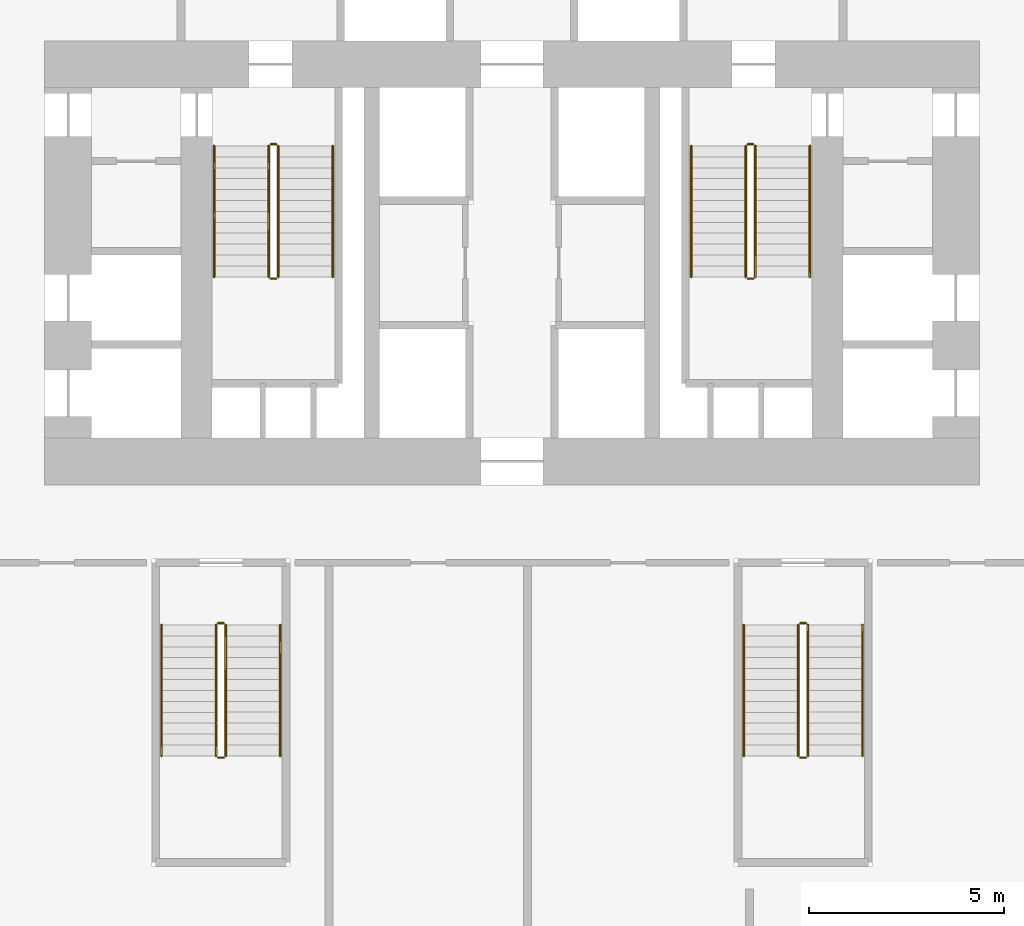
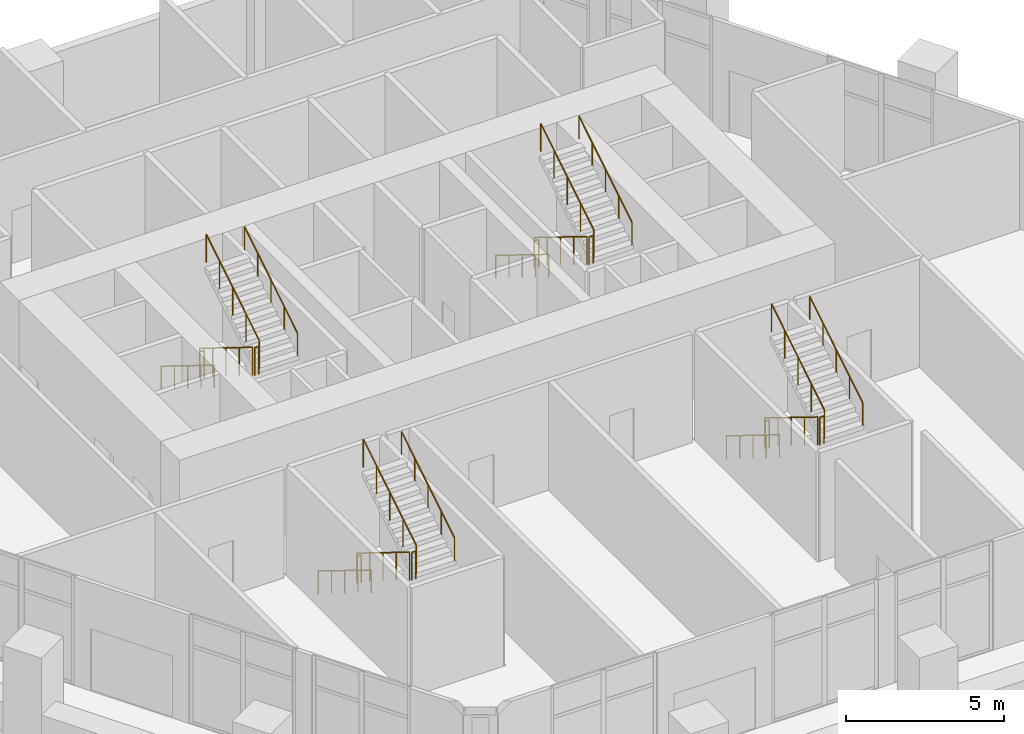
# One storey, part 18 of 18: 24 railings.
"""IFC4 building model written with IfcOpenShell, lengths in metres."""

from ifc_helpers import new_model, si_unit, direction, frame, origin, origin_2d, place, context, subcontext, project, spatial, circle, extrude, material, type_object, element, save


model = new_model("IFC4")

# Units and contexts
model_context = context("Model", 3, precision=1e-05, world=origin(), true_north=direction((0.0, 1.0)))
body_context = subcontext(model_context, "Body", "Model", "MODEL_VIEW")
ifc_project = project(units=[si_unit("LENGTHUNIT", "METRE"), si_unit("AREAUNIT", "SQUARE_METRE"), si_unit("VOLUMEUNIT", "CUBIC_METRE"), si_unit("PLANEANGLEUNIT", "RADIAN"), si_unit("MASSUNIT", "GRAM", prefix="KILO")], contexts=[model_context])

# Site, building, storey
site_placement = place(None, origin())
site = spatial("IfcSite", under=ifc_project, at=site_placement, CompositionType="ELEMENT")
building_placement = place(site_placement, origin())
building = spatial("IfcBuilding", under=site, at=building_placement, Name="Ostrander Bayou Hotel Tower", CompositionType="ELEMENT")
storey_placement = place(building_placement, frame((0.0, 0.0, 14.5)))
storey = spatial("IfcBuildingStorey", under=building, at=storey_placement, Name="L03", CompositionType="ELEMENT", Elevation=14.5)

# Railings
ifc_material_1 = material(Name="Steel ASTM A500 Gr C", Category="steel")
railing_type_1 = type_object("IfcRailingType", Name="GR1 stair guard 1100 mm steel", PredefinedType="GUARDRAIL", material=ifc_material_1)
railing_1_placement = place(storey_placement, frame((-6.25, 7.0, 0.173095703125)))
element("IfcRailing", 1, at=railing_1_placement, inside=storey, type_object=railing_type_1, Name="L03 STA stair guard 1", PredefinedType="GUARDRAIL", context=body_context, shape_type="SweptSolid", body=[
    extrude(circle(Radius=0.02392578125, at=origin_2d()), frame((0.0, 0.0, 1.076171875), z_axis=(0.0, -0.850623216509, 0.525775754039), x_axis=(1.0, 0.0, 0.0)), (0.0, 0.0, 1.0), 3.9501953125),
    extrude(circle(Radius=0.02099609375, at=origin_2d()), origin(), (0.0, 0.0, 1.0), 1.052001953125),
    extrude(circle(Radius=0.02099609375, at=origin_2d()), frame((0.0, -0.840087890625, 0.519287109375)), (0.0, 0.0, 1.0), 1.052001953125),
    extrude(circle(Radius=0.02099609375, at=origin_2d()), frame((0.0, -1.68017578125, 1.03857421875)), (0.0, 0.0, 1.0), 1.052001953125),
    extrude(circle(Radius=0.02099609375, at=origin_2d()), frame((0.0, -2.52001953125, 1.5576171875)), (0.0, 0.0, 1.0), 1.052001953125),
    extrude(circle(Radius=0.02099609375, at=origin_2d()), frame((0.0, -3.360107421875, 2.076904296875)), (0.0, 0.0, 1.0), 1.052001953125),
])
railing_2_placement = place(storey_placement, frame((-6.199951171875, 3.590087890625, 2.25)))
element("IfcRailing", 2, at=railing_2_placement, inside=storey, type_object=railing_type_1, Name="L03 STA stair guard 2", PredefinedType="GUARDRAIL", context=body_context, shape_type="SweptSolid", body=[
    extrude(circle(Radius=0.02392578125, at=origin_2d()), frame((0.0, 0.0, 1.076171875), z_axis=(1.0, 0.0, 0.0), x_axis=(0.0, 1.0, 0.0)), (0.0, 0.0, 1.0), 0.14990234375),
    extrude(circle(Radius=0.02099609375, at=origin_2d()), origin(), (0.0, 0.0, 1.0), 1.052001953125),
    extrude(circle(Radius=0.02099609375, at=origin_2d()), frame((0.14990234375, 0.0, 0.0)), (0.0, 0.0, 1.0), 1.052001953125),
])
railing_3_placement = place(storey_placement, frame((-6.0, 3.639892578125, 2.423095703125)))
element("IfcRailing", 3, at=railing_3_placement, inside=storey, type_object=railing_type_1, Name="L03 STA stair guard 3", PredefinedType="GUARDRAIL", context=body_context, shape_type="SweptSolid", body=[
    extrude(circle(Radius=0.02392578125, at=origin_2d()), frame((0.0, 0.0, 1.076171875), z_axis=(0.0, 0.850623216509, 0.525775754039), x_axis=(-1.0, 0.0, 0.0)), (0.0, 0.0, 1.0), 3.9501953125),
    extrude(circle(Radius=0.02099609375, at=origin_2d()), origin(), (0.0, 0.0, 1.0), 1.052001953125),
    extrude(circle(Radius=0.02099609375, at=origin_2d()), frame((0.0, 0.840087890625, 0.519287109375)), (0.0, 0.0, 1.0), 1.052001953125),
    extrude(circle(Radius=0.02099609375, at=origin_2d()), frame((0.0, 1.68017578125, 1.03857421875)), (0.0, 0.0, 1.0), 1.052001953125),
    extrude(circle(Radius=0.02099609375, at=origin_2d()), frame((0.0, 2.52001953125, 1.5576171875)), (0.0, 0.0, 1.0), 1.052001953125),
    extrude(circle(Radius=0.02099609375, at=origin_2d()), frame((0.0, 3.360107421875, 2.076904296875)), (0.0, 0.0, 1.0), 1.052001953125),
])
railing_4_placement = place(storey_placement, frame((-6.199951171875, 7.050048828125, 0.0)))
element("IfcRailing", 4, at=railing_4_placement, inside=storey, type_object=railing_type_1, Name="L03 STA stair guard 4", PredefinedType="GUARDRAIL", context=body_context, shape_type="SweptSolid", body=[
    extrude(circle(Radius=0.02392578125, at=origin_2d()), frame((0.0, 0.0, 1.076171875), z_axis=(1.0, 0.0, 0.0), x_axis=(0.0, 1.0, 0.0)), (0.0, 0.0, 1.0), 0.14990234375),
    extrude(circle(Radius=0.02099609375, at=origin_2d()), origin(), (0.0, 0.0, 1.0), 1.052001953125),
    extrude(circle(Radius=0.02099609375, at=origin_2d()), frame((0.14990234375, 0.0, 0.0)), (0.0, 0.0, 1.0), 1.052001953125),
])
railing_5_placement = place(storey_placement, frame((6.0, 7.0, 0.173095703125)))
element("IfcRailing", 5, at=railing_5_placement, inside=storey, type_object=railing_type_1, Name="L03 STB stair guard 1", PredefinedType="GUARDRAIL", context=body_context, shape_type="SweptSolid", body=[
    extrude(circle(Radius=0.02392578125, at=origin_2d()), frame((0.0, 0.0, 1.076171875), z_axis=(0.0, -0.850623216509, 0.525775754039), x_axis=(1.0, 0.0, 0.0)), (0.0, 0.0, 1.0), 3.9501953125),
    extrude(circle(Radius=0.02099609375, at=origin_2d()), origin(), (0.0, 0.0, 1.0), 1.052001953125),
    extrude(circle(Radius=0.02099609375, at=origin_2d()), frame((0.0, -0.840087890625, 0.519287109375)), (0.0, 0.0, 1.0), 1.052001953125),
    extrude(circle(Radius=0.02099609375, at=origin_2d()), frame((0.0, -1.68017578125, 1.03857421875)), (0.0, 0.0, 1.0), 1.052001953125),
    extrude(circle(Radius=0.02099609375, at=origin_2d()), frame((0.0, -2.52001953125, 1.5576171875)), (0.0, 0.0, 1.0), 1.052001953125),
    extrude(circle(Radius=0.02099609375, at=origin_2d()), frame((0.0, -3.360107421875, 2.076904296875)), (0.0, 0.0, 1.0), 1.052001953125),
])
railing_6_placement = place(storey_placement, frame((6.050048828125, 3.590087890625, 2.25)))
element("IfcRailing", 6, at=railing_6_placement, inside=storey, type_object=railing_type_1, Name="L03 STB stair guard 2", PredefinedType="GUARDRAIL", context=body_context, shape_type="SweptSolid", body=[
    extrude(circle(Radius=0.02392578125, at=origin_2d()), frame((0.0, 0.0, 1.076171875), z_axis=(1.0, 0.0, 0.0), x_axis=(0.0, 1.0, 0.0)), (0.0, 0.0, 1.0), 0.14990234375),
    extrude(circle(Radius=0.02099609375, at=origin_2d()), origin(), (0.0, 0.0, 1.0), 1.052001953125),
    extrude(circle(Radius=0.02099609375, at=origin_2d()), frame((0.14990234375, 0.0, 0.0)), (0.0, 0.0, 1.0), 1.052001953125),
])
railing_7_placement = place(storey_placement, frame((6.25, 3.639892578125, 2.423095703125)))
element("IfcRailing", 7, at=railing_7_placement, inside=storey, type_object=railing_type_1, Name="L03 STB stair guard 3", PredefinedType="GUARDRAIL", context=body_context, shape_type="SweptSolid", body=[
    extrude(circle(Radius=0.02392578125, at=origin_2d()), frame((0.0, 0.0, 1.076171875), z_axis=(0.0, 0.850623216509, 0.525775754039), x_axis=(-1.0, 0.0, 0.0)), (0.0, 0.0, 1.0), 3.9501953125),
    extrude(circle(Radius=0.02099609375, at=origin_2d()), origin(), (0.0, 0.0, 1.0), 1.052001953125),
    extrude(circle(Radius=0.02099609375, at=origin_2d()), frame((0.0, 0.840087890625, 0.519287109375)), (0.0, 0.0, 1.0), 1.052001953125),
    extrude(circle(Radius=0.02099609375, at=origin_2d()), frame((0.0, 1.68017578125, 1.03857421875)), (0.0, 0.0, 1.0), 1.052001953125),
    extrude(circle(Radius=0.02099609375, at=origin_2d()), frame((0.0, 2.52001953125, 1.5576171875)), (0.0, 0.0, 1.0), 1.052001953125),
    extrude(circle(Radius=0.02099609375, at=origin_2d()), frame((0.0, 3.360107421875, 2.076904296875)), (0.0, 0.0, 1.0), 1.052001953125),
])
railing_8_placement = place(storey_placement, frame((6.050048828125, 7.050048828125, 0.0)))
element("IfcRailing", 8, at=railing_8_placement, inside=storey, type_object=railing_type_1, Name="L03 STB stair guard 4", PredefinedType="GUARDRAIL", context=body_context, shape_type="SweptSolid", body=[
    extrude(circle(Radius=0.02392578125, at=origin_2d()), frame((0.0, 0.0, 1.076171875), z_axis=(1.0, 0.0, 0.0), x_axis=(0.0, 1.0, 0.0)), (0.0, 0.0, 1.0), 0.14990234375),
    extrude(circle(Radius=0.02099609375, at=origin_2d()), origin(), (0.0, 0.0, 1.0), 1.052001953125),
    extrude(circle(Radius=0.02099609375, at=origin_2d()), frame((0.14990234375, 0.0, 0.0)), (0.0, 0.0, 1.0), 1.052001953125),
])
railing_9_placement = place(storey_placement, frame((7.35009765625, -5.300048828125, 0.173095703125)))
element("IfcRailing", 9, at=railing_9_placement, inside=storey, type_object=railing_type_1, Name="L03 STC stair guard 1", PredefinedType="GUARDRAIL", context=body_context, shape_type="SweptSolid", body=[
    extrude(circle(Radius=0.02392578125, at=origin_2d()), frame((0.0, 0.0, 1.076171875), z_axis=(0.0, -0.850606129759, 0.525803396734), x_axis=(1.0, 0.0, 0.0)), (0.0, 0.0, 1.0), 3.949951171875),
    extrude(circle(Radius=0.02099609375, at=origin_2d()), origin(), (0.0, 0.0, 1.0), 1.052001953125),
    extrude(circle(Radius=0.02099609375, at=origin_2d()), frame((0.0, -0.83984375, 0.519287109375)), (0.0, 0.0, 1.0), 1.052001953125),
    extrude(circle(Radius=0.02099609375, at=origin_2d()), frame((0.0, -1.679931640625, 1.03857421875)), (0.0, 0.0, 1.0), 1.052001953125),
    extrude(circle(Radius=0.02099609375, at=origin_2d()), frame((0.0, -2.52001953125, 1.5576171875)), (0.0, 0.0, 1.0), 1.052001953125),
    extrude(circle(Radius=0.02099609375, at=origin_2d()), frame((0.0, -3.35986328125, 2.076904296875)), (0.0, 0.0, 1.0), 1.052001953125),
])
railing_10_placement = place(storey_placement, frame((7.39990234375, -8.7099609375, 2.25)))
element("IfcRailing", 10, at=railing_10_placement, inside=storey, type_object=railing_type_1, Name="L03 STC stair guard 2", PredefinedType="GUARDRAIL", context=body_context, shape_type="SweptSolid", body=[
    extrude(circle(Radius=0.02392578125, at=origin_2d()), frame((0.0, 0.0, 1.076171875), z_axis=(1.0, 0.0, 0.0), x_axis=(0.0, 1.0, 0.0)), (0.0, 0.0, 1.0), 0.150146484375),
    extrude(circle(Radius=0.02099609375, at=origin_2d()), origin(), (0.0, 0.0, 1.0), 1.052001953125),
    extrude(circle(Radius=0.02099609375, at=origin_2d()), frame((0.150146484375, 0.0, 0.0)), (0.0, 0.0, 1.0), 1.052001953125),
])
railing_11_placement = place(storey_placement, frame((7.60009765625, -8.659912109375, 2.423095703125)))
element("IfcRailing", 11, at=railing_11_placement, inside=storey, type_object=railing_type_1, Name="L03 STC stair guard 3", PredefinedType="GUARDRAIL", context=body_context, shape_type="SweptSolid", body=[
    extrude(circle(Radius=0.02392578125, at=origin_2d()), frame((0.0, 0.0, 1.076171875), z_axis=(0.0, 0.850606129759, 0.525803396734), x_axis=(-1.0, 0.0, 0.0)), (0.0, 0.0, 1.0), 3.949951171875),
    extrude(circle(Radius=0.02099609375, at=origin_2d()), origin(), (0.0, 0.0, 1.0), 1.052001953125),
    extrude(circle(Radius=0.02099609375, at=origin_2d()), frame((0.0, 0.83984375, 0.519287109375)), (0.0, 0.0, 1.0), 1.052001953125),
    extrude(circle(Radius=0.02099609375, at=origin_2d()), frame((0.0, 1.679931640625, 1.03857421875)), (0.0, 0.0, 1.0), 1.052001953125),
    extrude(circle(Radius=0.02099609375, at=origin_2d()), frame((0.0, 2.52001953125, 1.5576171875)), (0.0, 0.0, 1.0), 1.052001953125),
    extrude(circle(Radius=0.02099609375, at=origin_2d()), frame((0.0, 3.35986328125, 2.076904296875)), (0.0, 0.0, 1.0), 1.052001953125),
])
railing_12_placement = place(storey_placement, frame((7.39990234375, -5.25, 0.0)))
element("IfcRailing", 12, at=railing_12_placement, inside=storey, type_object=railing_type_1, Name="L03 STC stair guard 4", PredefinedType="GUARDRAIL", context=body_context, shape_type="SweptSolid", body=[
    extrude(circle(Radius=0.02392578125, at=origin_2d()), frame((0.0, 0.0, 1.076171875), z_axis=(1.0, 0.0, 0.0), x_axis=(0.0, 1.0, 0.0)), (0.0, 0.0, 1.0), 0.150146484375),
    extrude(circle(Radius=0.02099609375, at=origin_2d()), origin(), (0.0, 0.0, 1.0), 1.052001953125),
    extrude(circle(Radius=0.02099609375, at=origin_2d()), frame((0.150146484375, 0.0, 0.0)), (0.0, 0.0, 1.0), 1.052001953125),
])
railing_13_placement = place(storey_placement, frame((-7.60009765625, -5.300048828125, 0.173095703125)))
element("IfcRailing", 13, at=railing_13_placement, inside=storey, type_object=railing_type_1, Name="L03 STD stair guard 1", PredefinedType="GUARDRAIL", context=body_context, shape_type="SweptSolid", body=[
    extrude(circle(Radius=0.02392578125, at=origin_2d()), frame((0.0, 0.0, 1.076171875), z_axis=(0.0, -0.850606129759, 0.525803396734), x_axis=(1.0, 0.0, 0.0)), (0.0, 0.0, 1.0), 3.949951171875),
    extrude(circle(Radius=0.02099609375, at=origin_2d()), origin(), (0.0, 0.0, 1.0), 1.052001953125),
    extrude(circle(Radius=0.02099609375, at=origin_2d()), frame((0.0, -0.83984375, 0.519287109375)), (0.0, 0.0, 1.0), 1.052001953125),
    extrude(circle(Radius=0.02099609375, at=origin_2d()), frame((0.0, -1.679931640625, 1.03857421875)), (0.0, 0.0, 1.0), 1.052001953125),
    extrude(circle(Radius=0.02099609375, at=origin_2d()), frame((0.0, -2.52001953125, 1.5576171875)), (0.0, 0.0, 1.0), 1.052001953125),
    extrude(circle(Radius=0.02099609375, at=origin_2d()), frame((0.0, -3.35986328125, 2.076904296875)), (0.0, 0.0, 1.0), 1.052001953125),
])
railing_14_placement = place(storey_placement, frame((-7.550048828125, -8.7099609375, 2.25)))
element("IfcRailing", 14, at=railing_14_placement, inside=storey, type_object=railing_type_1, Name="L03 STD stair guard 2", PredefinedType="GUARDRAIL", context=body_context, shape_type="SweptSolid", body=[
    extrude(circle(Radius=0.02392578125, at=origin_2d()), frame((0.0, 0.0, 1.076171875), z_axis=(1.0, 0.0, 0.0), x_axis=(0.0, 1.0, 0.0)), (0.0, 0.0, 1.0), 0.150146484375),
    extrude(circle(Radius=0.02099609375, at=origin_2d()), origin(), (0.0, 0.0, 1.0), 1.052001953125),
    extrude(circle(Radius=0.02099609375, at=origin_2d()), frame((0.150146484375, 0.0, 0.0)), (0.0, 0.0, 1.0), 1.052001953125),
])
railing_15_placement = place(storey_placement, frame((-7.35009765625, -8.659912109375, 2.423095703125)))
element("IfcRailing", 15, at=railing_15_placement, inside=storey, type_object=railing_type_1, Name="L03 STD stair guard 3", PredefinedType="GUARDRAIL", context=body_context, shape_type="SweptSolid", body=[
    extrude(circle(Radius=0.02392578125, at=origin_2d()), frame((0.0, 0.0, 1.076171875), z_axis=(0.0, 0.850606129759, 0.525803396734), x_axis=(-1.0, 0.0, 0.0)), (0.0, 0.0, 1.0), 3.949951171875),
    extrude(circle(Radius=0.02099609375, at=origin_2d()), origin(), (0.0, 0.0, 1.0), 1.052001953125),
    extrude(circle(Radius=0.02099609375, at=origin_2d()), frame((0.0, 0.83984375, 0.519287109375)), (0.0, 0.0, 1.0), 1.052001953125),
    extrude(circle(Radius=0.02099609375, at=origin_2d()), frame((0.0, 1.679931640625, 1.03857421875)), (0.0, 0.0, 1.0), 1.052001953125),
    extrude(circle(Radius=0.02099609375, at=origin_2d()), frame((0.0, 2.52001953125, 1.5576171875)), (0.0, 0.0, 1.0), 1.052001953125),
    extrude(circle(Radius=0.02099609375, at=origin_2d()), frame((0.0, 3.35986328125, 2.076904296875)), (0.0, 0.0, 1.0), 1.052001953125),
])
railing_16_placement = place(storey_placement, frame((-7.550048828125, -5.25, 0.0)))
element("IfcRailing", 16, at=railing_16_placement, inside=storey, type_object=railing_type_1, Name="L03 STD stair guard 4", PredefinedType="GUARDRAIL", context=body_context, shape_type="SweptSolid", body=[
    extrude(circle(Radius=0.02392578125, at=origin_2d()), frame((0.0, 0.0, 1.076171875), z_axis=(1.0, 0.0, 0.0), x_axis=(0.0, 1.0, 0.0)), (0.0, 0.0, 1.0), 0.150146484375),
    extrude(circle(Radius=0.02099609375, at=origin_2d()), origin(), (0.0, 0.0, 1.0), 1.052001953125),
    extrude(circle(Radius=0.02099609375, at=origin_2d()), frame((0.150146484375, 0.0, 0.0)), (0.0, 0.0, 1.0), 1.052001953125),
])
ifc_material_2 = material(Name="Steel ASTM A500 Gr C", Category="steel")
railing_type_2 = type_object("IfcRailingType", Name="HR1 stair handrail 900 mm steel", PredefinedType="HANDRAIL", material=ifc_material_2)
railing_17_placement = place(storey_placement, frame((-7.64990234375, 7.0, 0.173095703125)))
element("IfcRailing", 17, at=railing_17_placement, inside=storey, type_object=railing_type_2, Name="L03 STA stair handrail 1", PredefinedType="HANDRAIL", context=body_context, shape_type="SweptSolid", body=[
    extrude(circle(Radius=0.02392578125, at=origin_2d()), frame((0.0, 0.0, 0.8759765625), z_axis=(0.0, -0.850623216509, 0.525775754039), x_axis=(1.0, 0.0, 0.0)), (0.0, 0.0, 1.0), 3.9501953125),
    extrude(circle(Radius=0.02099609375, at=origin_2d()), origin(), (0.0, 0.0, 1.0), 0.851806640625),
    extrude(circle(Radius=0.02099609375, at=origin_2d()), frame((0.0, -0.840087890625, 0.519287109375)), (0.0, 0.0, 1.0), 0.851806640625),
    extrude(circle(Radius=0.02099609375, at=origin_2d()), frame((0.0, -1.68017578125, 1.03857421875)), (0.0, 0.0, 1.0), 0.851806640625),
    extrude(circle(Radius=0.02099609375, at=origin_2d()), frame((0.0, -2.52001953125, 1.5576171875)), (0.0, 0.0, 1.0), 0.851806640625),
    extrude(circle(Radius=0.02099609375, at=origin_2d()), frame((0.0, -3.360107421875, 2.076904296875)), (0.0, 0.0, 1.0), 0.851806640625),
])
railing_18_placement = place(storey_placement, frame((-4.60009765625, 3.639892578125, 2.423095703125)))
element("IfcRailing", 18, at=railing_18_placement, inside=storey, type_object=railing_type_2, Name="L03 STA stair handrail 2", PredefinedType="HANDRAIL", context=body_context, shape_type="SweptSolid", body=[
    extrude(circle(Radius=0.02392578125, at=origin_2d()), frame((0.0, 0.0, 0.8759765625), z_axis=(0.0, 0.850623216509, 0.525775754039), x_axis=(-1.0, 0.0, 0.0)), (0.0, 0.0, 1.0), 3.9501953125),
    extrude(circle(Radius=0.02099609375, at=origin_2d()), origin(), (0.0, 0.0, 1.0), 0.851806640625),
    extrude(circle(Radius=0.02099609375, at=origin_2d()), frame((0.0, 0.840087890625, 0.519287109375)), (0.0, 0.0, 1.0), 0.851806640625),
    extrude(circle(Radius=0.02099609375, at=origin_2d()), frame((0.0, 1.68017578125, 1.03857421875)), (0.0, 0.0, 1.0), 0.851806640625),
    extrude(circle(Radius=0.02099609375, at=origin_2d()), frame((0.0, 2.52001953125, 1.5576171875)), (0.0, 0.0, 1.0), 0.851806640625),
    extrude(circle(Radius=0.02099609375, at=origin_2d()), frame((0.0, 3.360107421875, 2.076904296875)), (0.0, 0.0, 1.0), 0.851806640625),
])
railing_19_placement = place(storey_placement, frame((4.60009765625, 7.0, 0.173095703125)))
element("IfcRailing", 19, at=railing_19_placement, inside=storey, type_object=railing_type_2, Name="L03 STB stair handrail 1", PredefinedType="HANDRAIL", context=body_context, shape_type="SweptSolid", body=[
    extrude(circle(Radius=0.02392578125, at=origin_2d()), frame((0.0, 0.0, 0.8759765625), z_axis=(0.0, -0.850623216509, 0.525775754039), x_axis=(1.0, 0.0, 0.0)), (0.0, 0.0, 1.0), 3.9501953125),
    extrude(circle(Radius=0.02099609375, at=origin_2d()), origin(), (0.0, 0.0, 1.0), 0.851806640625),
    extrude(circle(Radius=0.02099609375, at=origin_2d()), frame((0.0, -0.840087890625, 0.519287109375)), (0.0, 0.0, 1.0), 0.851806640625),
    extrude(circle(Radius=0.02099609375, at=origin_2d()), frame((0.0, -1.68017578125, 1.03857421875)), (0.0, 0.0, 1.0), 0.851806640625),
    extrude(circle(Radius=0.02099609375, at=origin_2d()), frame((0.0, -2.52001953125, 1.5576171875)), (0.0, 0.0, 1.0), 0.851806640625),
    extrude(circle(Radius=0.02099609375, at=origin_2d()), frame((0.0, -3.360107421875, 2.076904296875)), (0.0, 0.0, 1.0), 0.851806640625),
])
railing_20_placement = place(storey_placement, frame((7.64990234375, 3.639892578125, 2.423095703125)))
element("IfcRailing", 20, at=railing_20_placement, inside=storey, type_object=railing_type_2, Name="L03 STB stair handrail 2", PredefinedType="HANDRAIL", context=body_context, shape_type="SweptSolid", body=[
    extrude(circle(Radius=0.02392578125, at=origin_2d()), frame((0.0, 0.0, 0.8759765625), z_axis=(0.0, 0.850623216509, 0.525775754039), x_axis=(-1.0, 0.0, 0.0)), (0.0, 0.0, 1.0), 3.9501953125),
    extrude(circle(Radius=0.02099609375, at=origin_2d()), origin(), (0.0, 0.0, 1.0), 0.851806640625),
    extrude(circle(Radius=0.02099609375, at=origin_2d()), frame((0.0, 0.840087890625, 0.519287109375)), (0.0, 0.0, 1.0), 0.851806640625),
    extrude(circle(Radius=0.02099609375, at=origin_2d()), frame((0.0, 1.68017578125, 1.03857421875)), (0.0, 0.0, 1.0), 0.851806640625),
    extrude(circle(Radius=0.02099609375, at=origin_2d()), frame((0.0, 2.52001953125, 1.5576171875)), (0.0, 0.0, 1.0), 0.851806640625),
    extrude(circle(Radius=0.02099609375, at=origin_2d()), frame((0.0, 3.360107421875, 2.076904296875)), (0.0, 0.0, 1.0), 0.851806640625),
])
railing_21_placement = place(storey_placement, frame((5.949951171875, -5.300048828125, 0.173095703125)))
element("IfcRailing", 21, at=railing_21_placement, inside=storey, type_object=railing_type_2, Name="L03 STC stair handrail 1", PredefinedType="HANDRAIL", context=body_context, shape_type="SweptSolid", body=[
    extrude(circle(Radius=0.02392578125, at=origin_2d()), frame((0.0, 0.0, 0.8759765625), z_axis=(0.0, -0.850606129759, 0.525803396734), x_axis=(1.0, 0.0, 0.0)), (0.0, 0.0, 1.0), 3.949951171875),
    extrude(circle(Radius=0.02099609375, at=origin_2d()), origin(), (0.0, 0.0, 1.0), 0.851806640625),
    extrude(circle(Radius=0.02099609375, at=origin_2d()), frame((0.0, -0.83984375, 0.519287109375)), (0.0, 0.0, 1.0), 0.851806640625),
    extrude(circle(Radius=0.02099609375, at=origin_2d()), frame((0.0, -1.679931640625, 1.03857421875)), (0.0, 0.0, 1.0), 0.851806640625),
    extrude(circle(Radius=0.02099609375, at=origin_2d()), frame((0.0, -2.52001953125, 1.5576171875)), (0.0, 0.0, 1.0), 0.851806640625),
    extrude(circle(Radius=0.02099609375, at=origin_2d()), frame((0.0, -3.35986328125, 2.076904296875)), (0.0, 0.0, 1.0), 0.851806640625),
])
railing_22_placement = place(storey_placement, frame((9.0, -8.659912109375, 2.423095703125)))
element("IfcRailing", 22, at=railing_22_placement, inside=storey, type_object=railing_type_2, Name="L03 STC stair handrail 2", PredefinedType="HANDRAIL", context=body_context, shape_type="SweptSolid", body=[
    extrude(circle(Radius=0.02392578125, at=origin_2d()), frame((0.0, 0.0, 0.8759765625), z_axis=(0.0, 0.850606129759, 0.525803396734), x_axis=(-1.0, 0.0, 0.0)), (0.0, 0.0, 1.0), 3.949951171875),
    extrude(circle(Radius=0.02099609375, at=origin_2d()), origin(), (0.0, 0.0, 1.0), 0.851806640625),
    extrude(circle(Radius=0.02099609375, at=origin_2d()), frame((0.0, 0.83984375, 0.519287109375)), (0.0, 0.0, 1.0), 0.851806640625),
    extrude(circle(Radius=0.02099609375, at=origin_2d()), frame((0.0, 1.679931640625, 1.03857421875)), (0.0, 0.0, 1.0), 0.851806640625),
    extrude(circle(Radius=0.02099609375, at=origin_2d()), frame((0.0, 2.52001953125, 1.5576171875)), (0.0, 0.0, 1.0), 0.851806640625),
    extrude(circle(Radius=0.02099609375, at=origin_2d()), frame((0.0, 3.35986328125, 2.076904296875)), (0.0, 0.0, 1.0), 0.851806640625),
])
railing_23_placement = place(storey_placement, frame((-9.0, -5.300048828125, 0.173095703125)))
element("IfcRailing", 23, at=railing_23_placement, inside=storey, type_object=railing_type_2, Name="L03 STD stair handrail 1", PredefinedType="HANDRAIL", context=body_context, shape_type="SweptSolid", body=[
    extrude(circle(Radius=0.02392578125, at=origin_2d()), frame((0.0, 0.0, 0.8759765625), z_axis=(0.0, -0.850606129759, 0.525803396734), x_axis=(1.0, 0.0, 0.0)), (0.0, 0.0, 1.0), 3.949951171875),
    extrude(circle(Radius=0.02099609375, at=origin_2d()), origin(), (0.0, 0.0, 1.0), 0.851806640625),
    extrude(circle(Radius=0.02099609375, at=origin_2d()), frame((0.0, -0.83984375, 0.519287109375)), (0.0, 0.0, 1.0), 0.851806640625),
    extrude(circle(Radius=0.02099609375, at=origin_2d()), frame((0.0, -1.679931640625, 1.03857421875)), (0.0, 0.0, 1.0), 0.851806640625),
    extrude(circle(Radius=0.02099609375, at=origin_2d()), frame((0.0, -2.52001953125, 1.5576171875)), (0.0, 0.0, 1.0), 0.851806640625),
    extrude(circle(Radius=0.02099609375, at=origin_2d()), frame((0.0, -3.35986328125, 2.076904296875)), (0.0, 0.0, 1.0), 0.851806640625),
])
railing_24_placement = place(storey_placement, frame((-5.949951171875, -8.659912109375, 2.423095703125)))
element("IfcRailing", 24, at=railing_24_placement, inside=storey, type_object=railing_type_2, Name="L03 STD stair handrail 2", PredefinedType="HANDRAIL", context=body_context, shape_type="SweptSolid", body=[
    extrude(circle(Radius=0.02392578125, at=origin_2d()), frame((0.0, 0.0, 0.8759765625), z_axis=(0.0, 0.850606129759, 0.525803396734), x_axis=(-1.0, 0.0, 0.0)), (0.0, 0.0, 1.0), 3.949951171875),
    extrude(circle(Radius=0.02099609375, at=origin_2d()), origin(), (0.0, 0.0, 1.0), 0.851806640625),
    extrude(circle(Radius=0.02099609375, at=origin_2d()), frame((0.0, 0.83984375, 0.519287109375)), (0.0, 0.0, 1.0), 0.851806640625),
    extrude(circle(Radius=0.02099609375, at=origin_2d()), frame((0.0, 1.679931640625, 1.03857421875)), (0.0, 0.0, 1.0), 0.851806640625),
    extrude(circle(Radius=0.02099609375, at=origin_2d()), frame((0.0, 2.52001953125, 1.5576171875)), (0.0, 0.0, 1.0), 0.851806640625),
    extrude(circle(Radius=0.02099609375, at=origin_2d()), frame((0.0, 3.35986328125, 2.076904296875)), (0.0, 0.0, 1.0), 0.851806640625),
])

save(model, "model.ifc")
